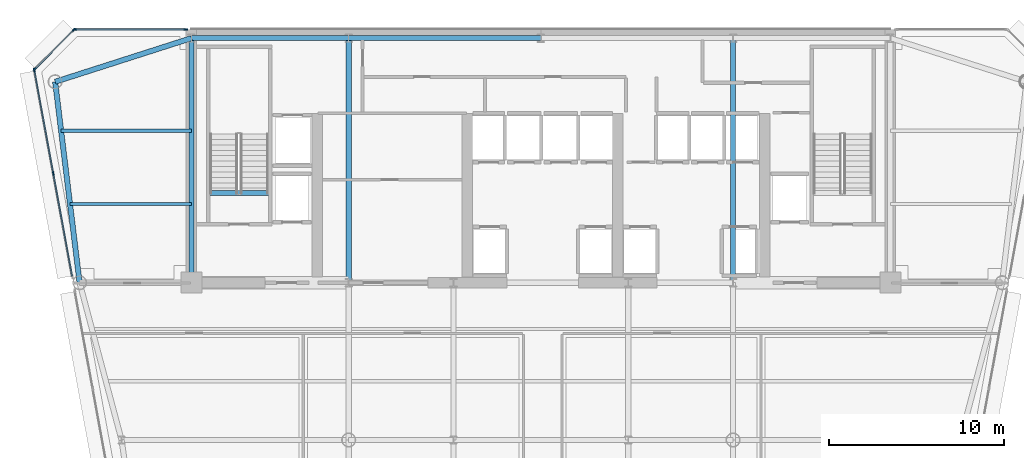
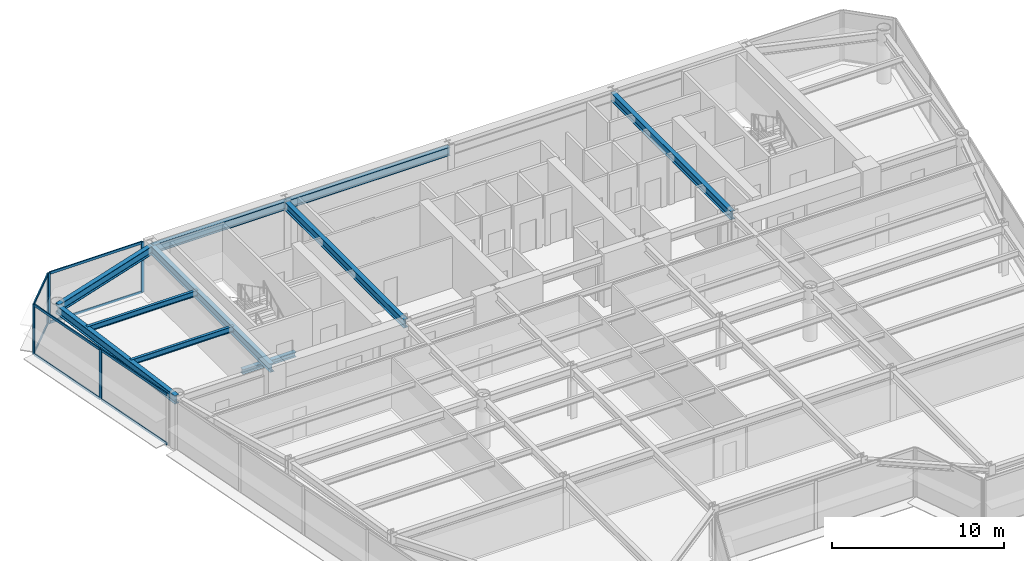
# One storey, part 6 of 15: 14 members, 10 beams, 3 elements without a shape of their own.
"""IFC4 building model written with IfcOpenShell, lengths in metres."""

import ifcopenshell
import ifcopenshell.guid

model = None  # the IFC model being written
_history = None  # IfcOwnerHistory: only IFC2X3 demands one
_inside = {}  # id of a spatial element -> (the spatial element, [elements in it])
_under = {}  # id of a project, library or spatial element -> (it, [spatial elements below it])
_declared = {}  # id of a project -> (the project, [libraries it declares])
_typed = {}  # id of a type object -> (the type object, [elements of that type])
_made_of = {}  # id of a material, layer set ... -> (it, [elements and type objects made of it])


def new_model(schema):
    """Start an empty IFC model of exactly this schema.

    Asked for "IFC4X3", IfcOpenShell would pick the latest addendum, in which some entities
    have other attributes; the version numbers below select the first issue.
    IFC2X3 requires an IfcOwnerHistory on every rooted entity: one is made here for all.
    """
    global model, _history
    if schema == "IFC4X3":
        model = ifcopenshell.file(schema_version=(4, 3, 0, 0))
    else:
        model = ifcopenshell.file(schema=schema)
    _inside.clear()
    _under.clear()
    _declared.clear()
    _typed.clear()
    _made_of.clear()
    _history = None
    if model.schema == "IFC2X3":
        org = make("IfcOrganization", Name="unknown")
        user = make(
            "IfcPersonAndOrganization",
            ThePerson=make("IfcPerson", FamilyName="unknown"),
            TheOrganization=org,
        )
        app = make(
            "IfcApplication",
            ApplicationDeveloper=org,
            Version="unknown",
            ApplicationFullName="unknown",
            ApplicationIdentifier="unknown",
        )
        _history = make(
            "IfcOwnerHistory",
            OwningUser=user,
            OwningApplication=app,
            ChangeAction="ADDED",
            CreationDate=0,
        )
    return model


def make(cls, **values):
    """One entity of the class cls with the attributes given. An attribute that is None is left unset."""
    return model.create_entity(
        cls, **{name: value for name, value in values.items() if value is not None}
    )


def rooted(cls, **values):
    """An entity with a GlobalId (a new one), such as an element, a storey or a relation."""
    return make(cls, GlobalId=ifcopenshell.guid.new(), OwnerHistory=_history, **values)


def si_unit(unit_type, name, prefix=None):
    """IfcSIUnit, for example si_unit("LENGTHUNIT", "METRE", prefix="MILLI")."""
    return make("IfcSIUnit", UnitType=unit_type, Prefix=prefix, Name=name)


def assignment(units):
    """IfcUnitAssignment: the units of a project."""
    return None if units is None else make("IfcUnitAssignment", Units=units)


def point(xyz):
    """IfcCartesianPoint."""
    return None if xyz is None else make("IfcCartesianPoint", Coordinates=xyz)


def direction(xyz):
    """IfcDirection."""
    return None if xyz is None else make("IfcDirection", DirectionRatios=xyz)


def frame(location, z_axis=None, x_axis=None):
    """IfcAxis2Placement3D, a coordinate frame: its origin and axes. An axis left out is left unset."""
    return make(
        "IfcAxis2Placement3D",
        Location=point(location),
        Axis=direction(z_axis),
        RefDirection=direction(x_axis),
    )


def frame_2d(location, x_axis=None):
    """IfcAxis2Placement2D, a coordinate frame in the plane: its origin and x axis."""
    return make(
        "IfcAxis2Placement2D", Location=point(location), RefDirection=direction(x_axis)
    )


def origin():
    """The frame at (0, 0, 0) with its axes left unset."""
    return frame((0.0, 0.0, 0.0))


def origin_2d():
    """The frame at (0, 0) in the plane with its x axis left unset."""
    return frame_2d((0.0, 0.0))


def place(relative_to, where):
    """IfcLocalPlacement: puts the frame where relative to a parent placement (None: the world)."""
    return make(
        "IfcLocalPlacement", PlacementRelTo=relative_to, RelativePlacement=where
    )


def context(
    kind, dimensions, precision=None, world=None, true_north=None, identifier=None
):
    """IfcGeometricRepresentationContext, for example the 3D "Model" context."""
    return make(
        "IfcGeometricRepresentationContext",
        ContextIdentifier=identifier,
        ContextType=kind,
        CoordinateSpaceDimension=dimensions,
        Precision=precision,
        WorldCoordinateSystem=world,
        TrueNorth=true_north,
    )


def subcontext(parent, identifier, kind, view, scale=None):
    """IfcGeometricRepresentationSubContext, for example "Body" below "Model"."""
    return make(
        "IfcGeometricRepresentationSubContext",
        ContextIdentifier=identifier,
        ContextType=kind,
        ParentContext=parent,
        TargetScale=scale,
        TargetView=view,
    )


def project(units=None, contexts=None):
    """IfcProject with its units and contexts."""
    return rooted(
        "IfcProject",
        Name="project",
        RepresentationContexts=contexts,
        UnitsInContext=assignment(units),
    )


def spatial(cls, under=None, at=None, **own):
    """A site, building, storey or space (cls), placed at a placement, below another one or the project."""
    s = rooted(cls, ObjectPlacement=at, **own)
    if under is not None:
        _under.setdefault(under.id(), (under, []))[1].append(s)
    return s


def profile(cls, at=None, kind="AREA", **sizes):
    """A parametric profile (cls). Its sizes go by their IFC names, for example OverallWidth=200.0."""
    return make(cls, ProfileType=kind, Position=at, **sizes)


def rectangle(**sizes):
    """IfcRectangleProfileDef."""
    return profile("IfcRectangleProfileDef", **sizes)


def i_section(**sizes):
    """IfcIShapeProfileDef."""
    return profile("IfcIShapeProfileDef", **sizes)


def extrude(swept, where, along, depth):
    """IfcExtrudedAreaSolid: the profile swept, set in the frame where, extruded along a direction by depth."""
    return make(
        "IfcExtrudedAreaSolid",
        SweptArea=swept,
        Position=where,
        ExtrudedDirection=direction(along),
        Depth=depth,
    )


def shape(context_of_items, identifier, shape_type, items):
    """IfcShapeRepresentation: the items that make up one representation, for example the "Body"."""
    return make(
        "IfcShapeRepresentation",
        ContextOfItems=context_of_items,
        RepresentationIdentifier=identifier,
        RepresentationType=shape_type,
        Items=items,
    )


def source(mapping_origin, context_of_items, identifier, shape_type, items):
    """IfcRepresentationMap: a shape defined once, which mapped items show again and again."""
    return make(
        "IfcRepresentationMap",
        MappingOrigin=mapping_origin,
        MappedRepresentation=shape(context_of_items, identifier, shape_type, items),
    )


def transform(
    local_origin,
    x_axis=None,
    y_axis=None,
    z_axis=None,
    scale=None,
    scale2=None,
    scale3=None,
    uniform=True,
):
    """IfcCartesianTransformationOperator3D, or its non-uniform kind. x_axis, y_axis, z_axis: its Axis1, 2, 3."""
    if uniform:
        return make(
            "IfcCartesianTransformationOperator3D",
            Axis1=direction(x_axis),
            Axis2=direction(y_axis),
            LocalOrigin=point(local_origin),
            Scale=scale,
            Axis3=direction(z_axis),
        )
    return make(
        "IfcCartesianTransformationOperator3DnonUniform",
        Axis1=direction(x_axis),
        Axis2=direction(y_axis),
        LocalOrigin=point(local_origin),
        Scale=scale,
        Axis3=direction(z_axis),
        Scale2=scale2,
        Scale3=scale3,
    )


def mapped(mapping_source, mapping_target):
    """IfcMappedItem: shows the shape of a source again, moved by a transform."""
    return make(
        "IfcMappedItem", MappingSource=mapping_source, MappingTarget=mapping_target
    )


def material(Name=None, Category=None):
    """IfcMaterial."""
    return make("IfcMaterial", Name=Name, Category=Category)


def layer(
    of_material, thickness, ventilated=None, Name=None, Category=None, Priority=None
):
    """IfcMaterialLayer: one layer of a wall or slab, of a material (None: an air gap)."""
    return make(
        "IfcMaterialLayer",
        Material=of_material,
        LayerThickness=thickness,
        IsVentilated=ventilated,
        Name=Name,
        Category=Category,
        Priority=Priority,
    )


def layer_set(layers, Name=None):
    """IfcMaterialLayerSet."""
    return make("IfcMaterialLayerSet", MaterialLayers=layers, LayerSetName=Name)


def material_profile(
    of_material, cross_section, Name=None, Category=None, Priority=None
):
    """IfcMaterialProfile: a cross section and its material."""
    return make(
        "IfcMaterialProfile",
        Name=Name,
        Material=of_material,
        Profile=cross_section,
        Priority=Priority,
        Category=Category,
    )


def profile_set(profiles, Name=None, composite=None):
    """IfcMaterialProfileSet."""
    return make(
        "IfcMaterialProfileSet",
        Name=Name,
        MaterialProfiles=profiles,
        CompositeProfile=composite,
    )


def made_of(thing, what):
    """Note that an element or type object is made of a material, layer set ...; save() writes the relation."""
    if what is not None:
        _made_of.setdefault(what.id(), (what, []))[1].append(thing)
    return thing


def type_object(cls, material=None, **own):
    """A type object (cls), such as IfcWallType, which elements share."""
    return made_of(rooted(cls, **own), material)


def element(
    cls,
    number,
    at=None,
    inside=None,
    cuts=None,
    type_object=None,
    material=None,
    context=None,
    identifier="Body",
    shape_type=None,
    held_by="IfcProductDefinitionShape",
    body=None,
    shapes=None,
    **own,
):
    """One element of the class cls, such as IfcWall. Its Tag is "e" and its number.

    at: its placement. inside: the storey or other place that contains it. cuts: it is an
    opening in that element (IfcRelVoidsElement). A single representation is given by context,
    identifier, shape_type and body (its items); several are given by shapes. held_by: the class
    of the entity that holds the representations. save() writes the other relations.
    """
    e = rooted(cls, Tag="e%d" % number, ObjectPlacement=at, **own)
    if body is not None:
        shapes = [shape(context, identifier, shape_type, body)]
    if shapes is not None:
        e.Representation = make(held_by, Representations=shapes)
    if inside is not None:
        _inside.setdefault(inside.id(), (inside, []))[1].append(e)
    if cuts is not None:
        rooted(
            "IfcRelVoidsElement", RelatingBuildingElement=cuts, RelatedOpeningElement=e
        )
    if type_object is not None:
        _typed.setdefault(type_object.id(), (type_object, []))[1].append(e)
    return made_of(e, material)


def aggregate(whole, parts):
    """IfcRelAggregates: a whole, such as a stair, and the parts it consists of."""
    return rooted("IfcRelAggregates", RelatingObject=whole, RelatedObjects=parts)


def save(model, path):
    """Write the relations noted so far, then the file.

    IfcRelAggregates (storeys below a building ...), IfcRelContainedInSpatialStructure (elements
    in a storey), IfcRelDefinesByType, IfcRelAssociatesMaterial and IfcRelDeclares: one each for
    every whole, place, type object, material and project.
    """
    for whole, parts in _under.values():
        aggregate(whole, parts)
    for where, things in _inside.values():
        rooted(
            "IfcRelContainedInSpatialStructure",
            RelatedElements=things,
            RelatingStructure=where,
        )
    for kind, things in _typed.values():
        rooted("IfcRelDefinesByType", RelatedObjects=things, RelatingType=kind)
    for what, things in _made_of.values():
        rooted("IfcRelAssociatesMaterial", RelatedObjects=things, RelatingMaterial=what)
    for by, libraries in _declared.values():
        rooted("IfcRelDeclares", RelatingContext=by, RelatedDefinitions=libraries)
    model.write(path)


model = new_model("IFC4")

# Units and contexts
model_context = context("Model", 3, precision=1e-05, world=origin(), true_north=direction((0.0, 1.0)))
body_context = subcontext(model_context, "Body", "Model", "MODEL_VIEW")
ifc_project = project(units=[si_unit("LENGTHUNIT", "METRE"), si_unit("AREAUNIT", "SQUARE_METRE"), si_unit("VOLUMEUNIT", "CUBIC_METRE"), si_unit("PLANEANGLEUNIT", "RADIAN"), si_unit("MASSUNIT", "GRAM", prefix="KILO")], contexts=[model_context])

# Site, building, storey
site_placement = place(None, origin())
site = spatial("IfcSite", under=ifc_project, at=site_placement, CompositionType="ELEMENT")
building_placement = place(site_placement, origin())
building = spatial("IfcBuilding", under=site, at=building_placement, Name="Vaeldorn Concourse Tower", CompositionType="ELEMENT")
storey_placement = place(building_placement, frame((0.0, 0.0, 199.39990234375)))
storey = spatial("IfcBuildingStorey", under=building, at=storey_placement, Name="L51", CompositionType="ELEMENT", Elevation=199.39990234375)

# Beams
ifc_material_1 = material(Name="Steel S355", Category="steel")
ifc_material_profile_1 = material_profile(ifc_material_1, i_section(OverallWidth=0.300048828125, OverallDepth=0.340087890625, WebThickness=0.011962890625, FlangeThickness=0.021484375, FilletRadius=0.027099609375, at=origin_2d()), Name="HEB 340")
ifc_profile_set_1 = profile_set([ifc_material_profile_1], Name="Steel S355")
beam_type_1 = type_object("IfcBeamType", Name="BM-ST-TRIM", PredefinedType="BEAM", material=ifc_profile_set_1)
shared_shape_1 = source(origin(), body_context, "Body", "SweptSolid", [
    extrude(i_section(OverallWidth=0.300048828125, OverallDepth=0.340087890625, WebThickness=0.011962890625, FlangeThickness=0.021484375, FilletRadius=0.027099609375, at=origin_2d()), origin(), (0.0, 0.0, 1.0), 3.590087890625),
])
beam_1_placement = place(storey_placement, frame((14.929931640625, 41.639892578125, -0.389892578125), z_axis=(1.0, 0.0, 0.0), x_axis=(0.0, 1.0, 0.0)))
element("IfcBeam", 1, at=beam_1_placement, inside=storey, type_object=beam_type_1, Name="Stair Landing Trimmer Beam ST-1 L51", PredefinedType="BEAM", context=body_context, shape_type="MappedRepresentation", body=[
    mapped(shared_shape_1, transform((0.0, 0.0, 0.0), scale=1.0)),
])
ifc_material_profile_2 = material_profile(ifc_material_1, i_section(OverallWidth=0.300048828125, OverallDepth=0.60009765625, WebThickness=0.015380859375, FlangeThickness=0.030029296875, FilletRadius=0.027099609375, at=origin_2d()), Name="HEB 600")
ifc_profile_set_2 = profile_set([ifc_material_profile_2], Name="Steel S355")
beam_type_2 = type_object("IfcBeamType", Name="BM-PG-HEB600", PredefinedType="BEAM", material=ifc_profile_set_2)
shared_shape_2 = source(origin(), body_context, "Body", "SweptSolid", [
    extrude(i_section(OverallWidth=0.300048828125, OverallDepth=0.60009765625, WebThickness=0.015380859375, FlangeThickness=0.030029296875, FilletRadius=0.027099609375, at=origin_2d()), origin(), (0.0, 0.0, 1.0), 9.0),
])
beam_2_placement = place(storey_placement, frame((14.0, 50.5, 3.280029296875), z_axis=(1.0, 0.0, 0.0), x_axis=(0.0, 1.0, 0.0)))
element("IfcBeam", 2, at=beam_2_placement, inside=storey, type_object=beam_type_2, Name="Beam BM-L51-C-HC1-C-HC2", PredefinedType="BEAM", context=body_context, shape_type="MappedRepresentation", body=[
    mapped(shared_shape_2, transform((0.0, 0.0, 0.0), scale=1.0)),
])
shared_shape_3 = source(origin(), body_context, "Body", "SweptSolid", [
    extrude(i_section(OverallWidth=0.300048828125, OverallDepth=0.60009765625, WebThickness=0.015380859375, FlangeThickness=0.030029296875, FilletRadius=0.027099609375, at=origin_2d()), origin(), (0.0, 0.0, 1.0), 11.0),
])
beam_3_placement = place(storey_placement, frame((23.0, 50.5, 3.280029296875), z_axis=(1.0, 0.0, 0.0), x_axis=(0.0, 1.0, 0.0)))
element("IfcBeam", 3, at=beam_3_placement, inside=storey, type_object=beam_type_2, Name="Beam BM-L51-C-HC2-C-HC3", PredefinedType="BEAM", context=body_context, shape_type="MappedRepresentation", body=[
    mapped(shared_shape_3, transform((0.0, 0.0, 0.0), scale=1.0)),
])
shared_shape_4 = source(origin(), body_context, "Body", "SweptSolid", [
    extrude(i_section(OverallWidth=0.300048828125, OverallDepth=0.60009765625, WebThickness=0.015380859375, FlangeThickness=0.030029296875, FilletRadius=0.027099609375, at=origin_2d()), origin(), (0.0, 0.0, 1.0), 14.0),
])
for number, where, z_axis, x_axis, name in (
    (4, (14.0, 36.5, 3.280029296875), (0.0, 1.0, 0.0), (-1.0, 0.0, 0.0), "Beam BM-L51-C-FC1-C-HC1"),
    (5, (23.0, 36.5, 3.280029296875), (0.0, 1.0, 0.0), (-1.0, 0.0, 0.0), "Beam BM-L51-C-FC2-C-HC2"),
    (6, (45.0, 36.5, 3.280029296875), (0.0, 1.0, 0.0), (-1.0, 0.0, 0.0), "Beam BM-L51-C-FC5-C-HC4"),
):
    element("IfcBeam", number, at=place(storey_placement, frame(where, z_axis=z_axis, x_axis=x_axis)), inside=storey, type_object=beam_type_2, Name=name, PredefinedType="BEAM", context=body_context, shape_type="MappedRepresentation", body=[
        mapped(shared_shape_4, transform((0.0, 0.0, 0.0), scale=1.0)),
    ])
shared_shape_5 = source(origin(), body_context, "Body", "SweptSolid", [
    extrude(i_section(OverallWidth=0.300048828125, OverallDepth=0.60009765625, WebThickness=0.015380859375, FlangeThickness=0.030029296875, FilletRadius=0.027099609375, at=origin_2d()), origin(), (0.0, 0.0, 1.0), 8.19091796875),
])
beam_4_placement = place(storey_placement, frame((6.199951171875, 48.0, 3.280029296875), z_axis=(0.952282843383, 0.305216949396, 0.0), x_axis=(-0.305216949396, 0.952282843383, 0.0)))
element("IfcBeam", 7, at=beam_4_placement, inside=storey, type_object=beam_type_2, Name="Beam BM-L51-C-NW1-C-HC1", PredefinedType="BEAM", context=body_context, shape_type="MappedRepresentation", body=[
    mapped(shared_shape_5, transform((0.0, 0.0, 0.0), scale=1.0)),
])
shared_shape_6 = source(origin(), body_context, "Body", "SweptSolid", [
    extrude(i_section(OverallWidth=0.300048828125, OverallDepth=0.60009765625, WebThickness=0.015380859375, FlangeThickness=0.030029296875, FilletRadius=0.027099609375, at=origin_2d()), origin(), (0.0, 0.0, 1.0), 11.5849609375),
])
beam_5_placement = place(storey_placement, frame((6.199951171875, 48.0, 3.280029296875), z_axis=(0.120859382899, -0.992669637677, 0.0), x_axis=(0.992669637677, 0.120859382899, 0.0)))
element("IfcBeam", 8, at=beam_5_placement, inside=storey, type_object=beam_type_2, Name="Beam BM-L51-C-NW1-C-NW2", PredefinedType="BEAM", context=body_context, shape_type="MappedRepresentation", body=[
    mapped(shared_shape_6, transform((0.0, 0.0, 0.0), scale=1.0)),
])
ifc_material_profile_3 = material_profile(ifc_material_1, i_section(OverallWidth=0.179931640625, OverallDepth=0.39990234375, WebThickness=0.008544921875, FlangeThickness=0.013427734375, FilletRadius=0.02099609375, at=origin_2d()), Name="IPE 400")
ifc_profile_set_3 = profile_set([ifc_material_profile_3], Name="Steel S355")
beam_type_3 = type_object("IfcBeamType", Name="BM-JS-IPE400", PredefinedType="JOIST", material=ifc_profile_set_3)
shared_shape_7 = source(origin(), body_context, "Body", "SweptSolid", [
    extrude(i_section(OverallWidth=0.179931640625, OverallDepth=0.39990234375, WebThickness=0.008544921875, FlangeThickness=0.013427734375, FilletRadius=0.02099609375, at=origin_2d()), origin(), (0.0, 0.0, 1.0), 6.94775390625),
])
beam_6_placement = place(storey_placement, frame((7.05224609375, 41.0, 3.380126953125), z_axis=(1.0, 0.0, 0.0), x_axis=(0.0, 1.0, 0.0)))
element("IfcBeam", 9, at=beam_6_placement, inside=storey, type_object=beam_type_3, Name="Beam JS-L51-NW-410", PredefinedType="JOIST", context=body_context, shape_type="MappedRepresentation", body=[
    mapped(shared_shape_7, transform((0.0, 0.0, 0.0), scale=1.0)),
])
shared_shape_8 = source(origin(), body_context, "Body", "SweptSolid", [
    extrude(i_section(OverallWidth=0.179931640625, OverallDepth=0.39990234375, WebThickness=0.008544921875, FlangeThickness=0.013427734375, FilletRadius=0.02099609375, at=origin_2d()), origin(), (0.0, 0.0, 1.0), 7.458984375),
])
beam_7_placement = place(storey_placement, frame((6.541015625, 45.199951171875, 3.380126953125), z_axis=(1.0, 0.0, 0.0), x_axis=(0.0, 1.0, 0.0)))
element("IfcBeam", 10, at=beam_7_placement, inside=storey, type_object=beam_type_3, Name="Beam JS-L51-NW-452", PredefinedType="JOIST", context=body_context, shape_type="MappedRepresentation", body=[
    mapped(shared_shape_8, transform((0.0, 0.0, 0.0), scale=1.0)),
])

# Curtain wall, members
ifc_material_2 = material(Name="Anodised Bronze Aluminium", Category="aluminium")
ifc_layer = layer(ifc_material_2, 0.2099609375)
ifc_layer_set = layer_set([ifc_layer], Name="Anodised Bronze Aluminium")
curtain_wall_type = type_object("IfcCurtainWallType", Name="CW-SYS-06", PredefinedType="NOTDEFINED", material=ifc_layer_set)
curtain_wall_1_placement = place(storey_placement, origin())
curtain_wall_1 = element("IfcCurtainWall", 11, at=curtain_wall_1_placement, inside=storey, type_object=curtain_wall_type, Name="Unitised Curtain Wall CW-L51-E10-1", PredefinedType="NOTDEFINED")
ifc_material_profile_4 = material_profile(ifc_material_2, rectangle(XDim=0.074951171875, YDim=0.179931640625, at=origin_2d()), Name="CWT 75x180")
ifc_profile_set_4 = profile_set([ifc_material_profile_4], Name="Anodised Bronze Aluminium")
member_type_1 = type_object("IfcMemberType", Name="CWT-BRONZE-180", PredefinedType="USERDEFINED", material=ifc_profile_set_4)
shared_shape_9 = source(origin(), body_context, "Body", "SweptSolid", [
    extrude(rectangle(XDim=0.074951171875, YDim=0.179931640625, at=origin_2d()), origin(), (0.0, 0.0, 1.0), 3.10302734375),
])
member_1_placement = place(storey_placement, frame((7.2470703125, 50.947021484375, 0.03759765625), z_axis=(-0.707106781187, -0.707106781187, 0.0), x_axis=(0.707106781187, -0.707106781187, 0.0)))
member_1 = element("IfcMember", 12, at=member_1_placement, type_object=member_type_1, Name="CW-06 transom 1.1", ObjectType="TRANSOM", PredefinedType="USERDEFINED", context=body_context, shape_type="MappedRepresentation", body=[
    mapped(shared_shape_9, transform((0.0, 0.0, 0.0), scale=1.0)),
])
member_2_placement = place(storey_placement, frame((7.2470703125, 50.947021484375, 3.54248046875), z_axis=(-0.707106781187, -0.707106781187, 0.0), x_axis=(0.707106781187, -0.707106781187, 0.0)))
member_2 = element("IfcMember", 13, at=member_2_placement, type_object=member_type_1, Name="CW-06 transom 1.2", ObjectType="TRANSOM", PredefinedType="USERDEFINED", context=body_context, shape_type="MappedRepresentation", body=[
    mapped(shared_shape_9, transform((0.0, 0.0, 0.0), scale=1.0)),
])

curtain_wall_2_placement = place(storey_placement, origin())
curtain_wall_2 = element("IfcCurtainWall", 14, at=curtain_wall_2_placement, inside=storey, type_object=curtain_wall_type, Name="Unitised Curtain Wall CW-L51-E09-2", PredefinedType="NOTDEFINED")
ifc_material_profile_5 = material_profile(ifc_material_2, rectangle(XDim=0.074951171875, YDim=0.219970703125, at=origin_2d()), Name="CWM 75x220")
ifc_profile_set_5 = profile_set([ifc_material_profile_5], Name="Anodised Bronze Aluminium")
member_type_2 = type_object("IfcMemberType", Name="CWM-BRONZE-220", PredefinedType="MULLION", material=ifc_profile_set_5)
shared_shape_10 = source(origin(), body_context, "Body", "SweptSolid", [
    extrude(rectangle(XDim=0.074951171875, YDim=0.219970703125, at=origin_2d()), origin(), (0.0, 0.0, 1.0), 3.580078125),
])
member_3_placement = place(storey_placement, frame((13.66748046875, 51.0, 0.0), z_axis=(0.0, 0.0, 1.0), x_axis=(0.0, -1.0, 0.0)))
member_3 = element("IfcMember", 15, at=member_3_placement, type_object=member_type_2, Name="CW-06 mullion 1", PredefinedType="MULLION", context=body_context, shape_type="MappedRepresentation", body=[
    mapped(shared_shape_10, transform((0.0, 0.0, 0.0), scale=1.0)),
])
member_4_placement = place(storey_placement, frame((7.33740234375, 51.0, 0.0), z_axis=(0.0, 0.0, 1.0), x_axis=(0.0, -1.0, 0.0)))
member_4 = element("IfcMember", 16, at=member_4_placement, type_object=member_type_2, Name="CW-06 mullion 2", PredefinedType="MULLION", context=body_context, shape_type="MappedRepresentation", body=[
    mapped(shared_shape_10, transform((0.0, 0.0, 0.0), scale=1.0)),
])

# Member
member_5_placement = place(storey_placement, frame((7.2734375, 50.973388671875, 0.0), z_axis=(0.0, 0.0, 1.0), x_axis=(0.707106781187, -0.707106781187, 0.0)))
member_5 = element("IfcMember", 17, at=member_5_placement, type_object=member_type_2, Name="CW-06 mullion 1", PredefinedType="MULLION", context=body_context, shape_type="MappedRepresentation", body=[
    mapped(shared_shape_10, transform((0.0, 0.0, 0.0), scale=1.0)),
])

member_6_placement = place(storey_placement, frame((5.026611328125, 48.7265625, 0.0), z_axis=(0.0, 0.0, 1.0), x_axis=(0.707106781187, -0.707106781187, 0.0)))
member_6 = element("IfcMember", 18, at=member_6_placement, type_object=member_type_2, Name="CW-06 mullion 2", PredefinedType="MULLION", context=body_context, shape_type="MappedRepresentation", body=[
    mapped(shared_shape_10, transform((0.0, 0.0, 0.0), scale=1.0)),
])

aggregate(curtain_wall_1, [member_5, member_6, member_1, member_2])

# Curtain wall, members
curtain_wall_3_placement = place(storey_placement, origin())
curtain_wall_3 = element("IfcCurtainWall", 19, at=curtain_wall_3_placement, inside=storey, type_object=curtain_wall_type, Name="Unitised Curtain Wall CW-L51-E11-1", PredefinedType="NOTDEFINED")
member_7_placement = place(storey_placement, frame((5.0068359375, 48.6630859375, 0.0), z_axis=(0.0, 0.0, 1.0), x_axis=(0.983559459619, 0.180584576845, 0.0)))
member_7 = element("IfcMember", 20, at=member_7_placement, type_object=member_type_2, Name="CW-06 mullion 1", PredefinedType="MULLION", context=body_context, shape_type="MappedRepresentation", body=[
    mapped(shared_shape_10, transform((0.0, 0.0, 0.0), scale=1.0)),
])
member_8_placement = place(storey_placement, frame((6.091796875, 42.753662109375, 0.0), z_axis=(0.0, 0.0, 1.0), x_axis=(0.983559459619, 0.180584576845, 0.0)))
member_8 = element("IfcMember", 21, at=member_8_placement, type_object=member_type_2, Name="CW-06 mullion 2", PredefinedType="MULLION", context=body_context, shape_type="MappedRepresentation", body=[
    mapped(shared_shape_10, transform((0.0, 0.0, 0.0), scale=1.0)),
])
shared_shape_11 = source(origin(), body_context, "Body", "SweptSolid", [
    extrude(rectangle(XDim=0.074951171875, YDim=0.179931640625, at=origin_2d()), origin(), (0.0, 0.0, 1.0), 5.932861328125),
])
member_9_placement = place(storey_placement, frame((6.0986328125, 42.716796875, 0.03759765625), z_axis=(0.180565406759, -0.983562979113, 0.0), x_axis=(0.983562979113, 0.180565406759, 0.0)))
member_9 = element("IfcMember", 22, at=member_9_placement, type_object=member_type_1, Name="CW-06 transom 2.1", ObjectType="TRANSOM", PredefinedType="USERDEFINED", context=body_context, shape_type="MappedRepresentation", body=[
    mapped(shared_shape_11, transform((0.0, 0.0, 0.0), scale=1.0)),
])
member_10_placement = place(storey_placement, frame((6.0986328125, 42.716796875, 3.54248046875), z_axis=(0.180565406759, -0.983562979113, 0.0), x_axis=(0.983562979113, 0.180565406759, 0.0)))
member_10 = element("IfcMember", 23, at=member_10_placement, type_object=member_type_1, Name="CW-06 transom 2.2", ObjectType="TRANSOM", PredefinedType="USERDEFINED", context=body_context, shape_type="MappedRepresentation", body=[
    mapped(shared_shape_11, transform((0.0, 0.0, 0.0), scale=1.0)),
])
shared_shape_12 = source(origin(), body_context, "Body", "SweptSolid", [
    extrude(rectangle(XDim=0.074951171875, YDim=0.179931640625, at=origin_2d()), origin(), (0.0, 0.0, 1.0), 5.933349609375),
])
member_11_placement = place(storey_placement, frame((5.013427734375, 48.626220703125, 0.03759765625), z_axis=(0.180597905177, -0.983557012402, 0.0), x_axis=(0.983557012402, 0.180597905177, 0.0)))
member_11 = element("IfcMember", 24, at=member_11_placement, type_object=member_type_1, Name="CW-06 transom 1.1", ObjectType="TRANSOM", PredefinedType="USERDEFINED", context=body_context, shape_type="MappedRepresentation", body=[
    mapped(shared_shape_12, transform((0.0, 0.0, 0.0), scale=1.0)),
])
member_12_placement = place(storey_placement, frame((5.013427734375, 48.626220703125, 3.54248046875), z_axis=(0.180597905177, -0.983557012402, 0.0), x_axis=(0.983557012402, 0.180597905177, 0.0)))
member_12 = element("IfcMember", 25, at=member_12_placement, type_object=member_type_1, Name="CW-06 transom 1.2", ObjectType="TRANSOM", PredefinedType="USERDEFINED", context=body_context, shape_type="MappedRepresentation", body=[
    mapped(shared_shape_12, transform((0.0, 0.0, 0.0), scale=1.0)),
])
aggregate(curtain_wall_3, [member_7, member_8, member_11, member_12, member_9, member_10])

# Member
shared_shape_13 = source(origin(), body_context, "Body", "SweptSolid", [
    extrude(rectangle(XDim=0.074951171875, YDim=0.179931640625, at=origin_2d()), origin(), (0.0, 0.0, 1.0), 6.2548828125),
])
member_13_placement = place(storey_placement, frame((13.6298828125, 51.0, 0.03759765625), z_axis=(-1.0, 0.0, 0.0), x_axis=(0.0, -1.0, 0.0)))
member_13 = element("IfcMember", 26, at=member_13_placement, type_object=member_type_1, Name="CW-06 transom 1.1", ObjectType="TRANSOM", PredefinedType="USERDEFINED", context=body_context, shape_type="MappedRepresentation", body=[
    mapped(shared_shape_13, transform((0.0, 0.0, 0.0), scale=1.0)),
])

member_14_placement = place(storey_placement, frame((13.6298828125, 51.0, 3.54248046875), z_axis=(-1.0, 0.0, 0.0), x_axis=(0.0, -1.0, 0.0)))
member_14 = element("IfcMember", 27, at=member_14_placement, type_object=member_type_1, Name="CW-06 transom 1.2", ObjectType="TRANSOM", PredefinedType="USERDEFINED", context=body_context, shape_type="MappedRepresentation", body=[
    mapped(shared_shape_13, transform((0.0, 0.0, 0.0), scale=1.0)),
])

aggregate(curtain_wall_2, [member_3, member_4, member_13, member_14])

save(model, "model.ifc")
